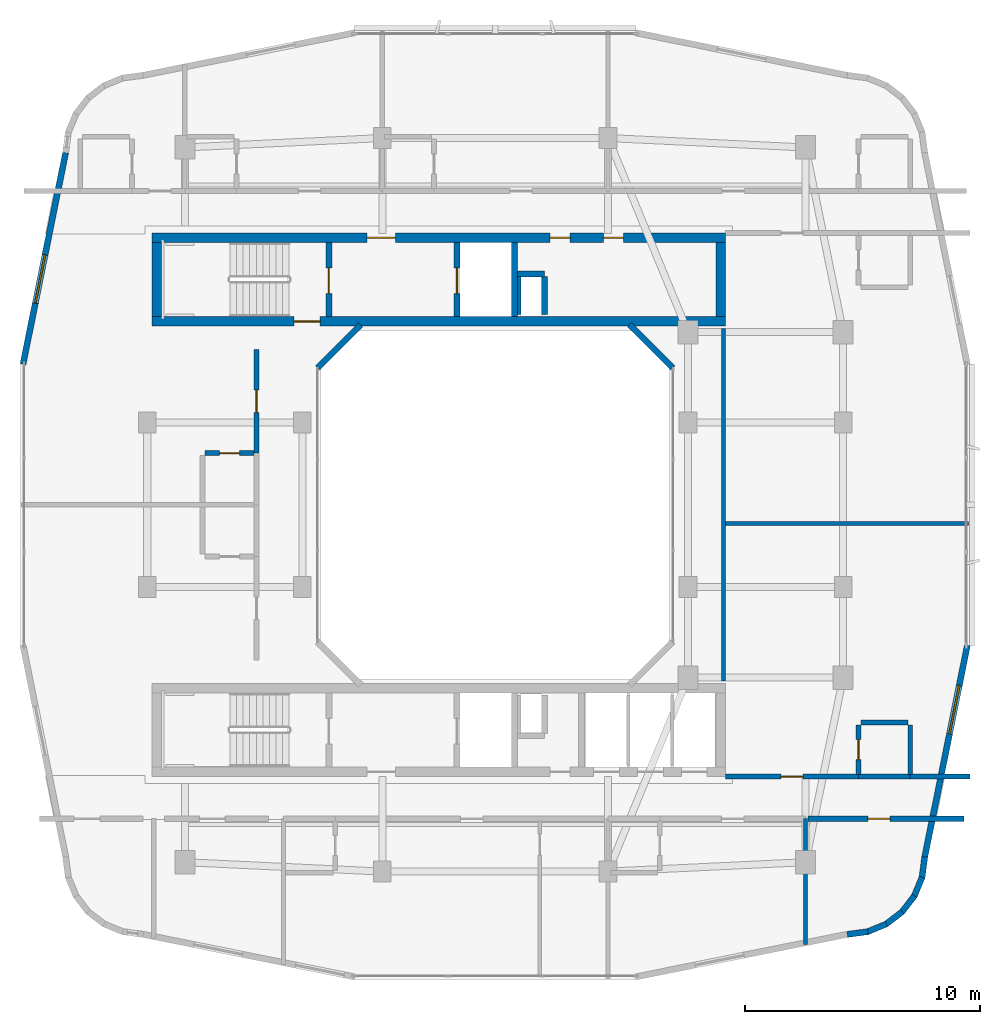
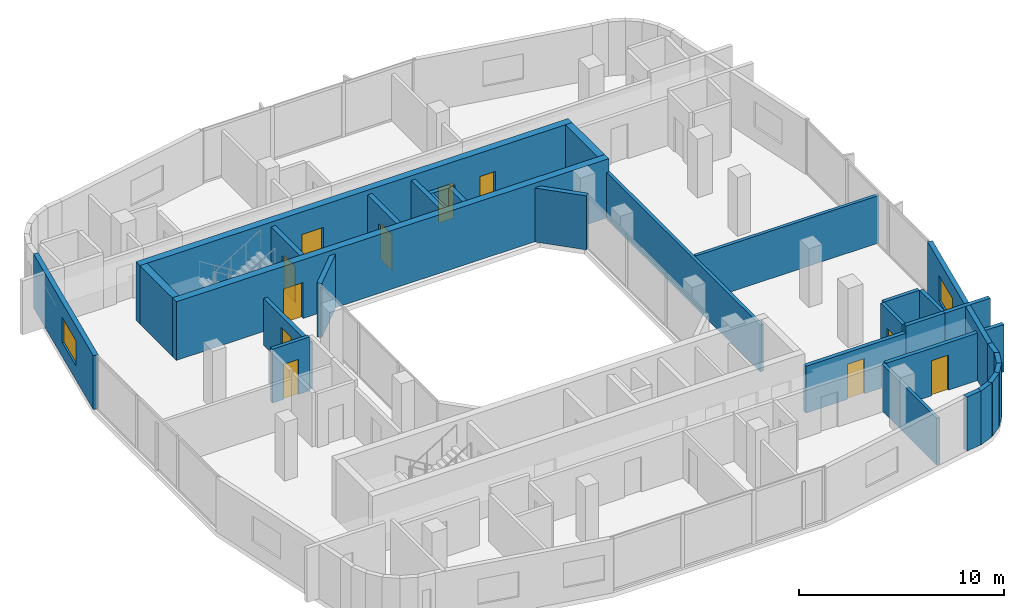
# One storey, part 8 of 14: 32 walls, 11 doors, 2 windows, 13 openings.
"""IFC4 building model written with IfcOpenShell, lengths in metres."""

import ifcopenshell
import ifcopenshell.guid

model = None  # the IFC model being written
_history = None  # IfcOwnerHistory: only IFC2X3 demands one
_inside = {}  # id of a spatial element -> (the spatial element, [elements in it])
_under = {}  # id of a project, library or spatial element -> (it, [spatial elements below it])
_declared = {}  # id of a project -> (the project, [libraries it declares])
_typed = {}  # id of a type object -> (the type object, [elements of that type])
_made_of = {}  # id of a material, layer set ... -> (it, [elements and type objects made of it])


def new_model(schema):
    """Start an empty IFC model of exactly this schema.

    Asked for "IFC4X3", IfcOpenShell would pick the latest addendum, in which some entities
    have other attributes; the version numbers below select the first issue.
    IFC2X3 requires an IfcOwnerHistory on every rooted entity: one is made here for all.
    """
    global model, _history
    if schema == "IFC4X3":
        model = ifcopenshell.file(schema_version=(4, 3, 0, 0))
    else:
        model = ifcopenshell.file(schema=schema)
    _inside.clear()
    _under.clear()
    _declared.clear()
    _typed.clear()
    _made_of.clear()
    _history = None
    if model.schema == "IFC2X3":
        org = make("IfcOrganization", Name="unknown")
        user = make(
            "IfcPersonAndOrganization",
            ThePerson=make("IfcPerson", FamilyName="unknown"),
            TheOrganization=org,
        )
        app = make(
            "IfcApplication",
            ApplicationDeveloper=org,
            Version="unknown",
            ApplicationFullName="unknown",
            ApplicationIdentifier="unknown",
        )
        _history = make(
            "IfcOwnerHistory",
            OwningUser=user,
            OwningApplication=app,
            ChangeAction="ADDED",
            CreationDate=0,
        )
    return model


def make(cls, **values):
    """One entity of the class cls with the attributes given. An attribute that is None is left unset."""
    return model.create_entity(
        cls, **{name: value for name, value in values.items() if value is not None}
    )


def rooted(cls, **values):
    """An entity with a GlobalId (a new one), such as an element, a storey or a relation."""
    return make(cls, GlobalId=ifcopenshell.guid.new(), OwnerHistory=_history, **values)


def si_unit(unit_type, name, prefix=None):
    """IfcSIUnit, for example si_unit("LENGTHUNIT", "METRE", prefix="MILLI")."""
    return make("IfcSIUnit", UnitType=unit_type, Prefix=prefix, Name=name)


def derived_unit(unit_type, elements):
    """IfcDerivedUnit: a product of units, each with its exponent."""
    return make(
        "IfcDerivedUnit",
        Elements=[
            make("IfcDerivedUnitElement", Unit=unit, Exponent=power)
            for unit, power in elements
        ],
        UnitType=unit_type,
    )


def assignment(units):
    """IfcUnitAssignment: the units of a project."""
    return None if units is None else make("IfcUnitAssignment", Units=units)


def point(xyz):
    """IfcCartesianPoint."""
    return None if xyz is None else make("IfcCartesianPoint", Coordinates=xyz)


def direction(xyz):
    """IfcDirection."""
    return None if xyz is None else make("IfcDirection", DirectionRatios=xyz)


def frame(location, z_axis=None, x_axis=None):
    """IfcAxis2Placement3D, a coordinate frame: its origin and axes. An axis left out is left unset."""
    return make(
        "IfcAxis2Placement3D",
        Location=point(location),
        Axis=direction(z_axis),
        RefDirection=direction(x_axis),
    )


def frame_2d(location, x_axis=None):
    """IfcAxis2Placement2D, a coordinate frame in the plane: its origin and x axis."""
    return make(
        "IfcAxis2Placement2D", Location=point(location), RefDirection=direction(x_axis)
    )


def origin():
    """The frame at (0, 0, 0) with its axes left unset."""
    return frame((0.0, 0.0, 0.0))


def place(relative_to, where):
    """IfcLocalPlacement: puts the frame where relative to a parent placement (None: the world)."""
    return make(
        "IfcLocalPlacement", PlacementRelTo=relative_to, RelativePlacement=where
    )


def context(
    kind, dimensions, precision=None, world=None, true_north=None, identifier=None
):
    """IfcGeometricRepresentationContext, for example the 3D "Model" context."""
    return make(
        "IfcGeometricRepresentationContext",
        ContextIdentifier=identifier,
        ContextType=kind,
        CoordinateSpaceDimension=dimensions,
        Precision=precision,
        WorldCoordinateSystem=world,
        TrueNorth=true_north,
    )


def subcontext(parent, identifier, kind, view, scale=None):
    """IfcGeometricRepresentationSubContext, for example "Body" below "Model"."""
    return make(
        "IfcGeometricRepresentationSubContext",
        ContextIdentifier=identifier,
        ContextType=kind,
        ParentContext=parent,
        TargetScale=scale,
        TargetView=view,
    )


def project(units=None, contexts=None):
    """IfcProject with its units and contexts."""
    return rooted(
        "IfcProject",
        Name="project",
        RepresentationContexts=contexts,
        UnitsInContext=assignment(units),
    )


def spatial(cls, under=None, at=None, **own):
    """A site, building, storey or space (cls), placed at a placement, below another one or the project."""
    s = rooted(cls, ObjectPlacement=at, **own)
    if under is not None:
        _under.setdefault(under.id(), (under, []))[1].append(s)
    return s


def profile(cls, at=None, kind="AREA", **sizes):
    """A parametric profile (cls). Its sizes go by their IFC names, for example OverallWidth=200.0."""
    return make(cls, ProfileType=kind, Position=at, **sizes)


def rectangle(**sizes):
    """IfcRectangleProfileDef."""
    return profile("IfcRectangleProfileDef", **sizes)


def extrude(swept, where, along, depth):
    """IfcExtrudedAreaSolid: the profile swept, set in the frame where, extruded along a direction by depth."""
    return make(
        "IfcExtrudedAreaSolid",
        SweptArea=swept,
        Position=where,
        ExtrudedDirection=direction(along),
        Depth=depth,
    )


def shape(context_of_items, identifier, shape_type, items):
    """IfcShapeRepresentation: the items that make up one representation, for example the "Body"."""
    return make(
        "IfcShapeRepresentation",
        ContextOfItems=context_of_items,
        RepresentationIdentifier=identifier,
        RepresentationType=shape_type,
        Items=items,
    )


def material(Name=None, Category=None):
    """IfcMaterial."""
    return make("IfcMaterial", Name=Name, Category=Category)


def layer(
    of_material, thickness, ventilated=None, Name=None, Category=None, Priority=None
):
    """IfcMaterialLayer: one layer of a wall or slab, of a material (None: an air gap)."""
    return make(
        "IfcMaterialLayer",
        Material=of_material,
        LayerThickness=thickness,
        IsVentilated=ventilated,
        Name=Name,
        Category=Category,
        Priority=Priority,
    )


def layer_set(layers, Name=None):
    """IfcMaterialLayerSet."""
    return make("IfcMaterialLayerSet", MaterialLayers=layers, LayerSetName=Name)


def made_of(thing, what):
    """Note that an element or type object is made of a material, layer set ...; save() writes the relation."""
    if what is not None:
        _made_of.setdefault(what.id(), (what, []))[1].append(thing)
    return thing


def type_object(cls, material=None, **own):
    """A type object (cls), such as IfcWallType, which elements share."""
    return made_of(rooted(cls, **own), material)


def element(
    cls,
    number,
    at=None,
    inside=None,
    cuts=None,
    type_object=None,
    material=None,
    context=None,
    identifier="Body",
    shape_type=None,
    held_by="IfcProductDefinitionShape",
    body=None,
    shapes=None,
    **own,
):
    """One element of the class cls, such as IfcWall. Its Tag is "e" and its number.

    at: its placement. inside: the storey or other place that contains it. cuts: it is an
    opening in that element (IfcRelVoidsElement). A single representation is given by context,
    identifier, shape_type and body (its items); several are given by shapes. held_by: the class
    of the entity that holds the representations. save() writes the other relations.
    """
    e = rooted(cls, Tag="e%d" % number, ObjectPlacement=at, **own)
    if body is not None:
        shapes = [shape(context, identifier, shape_type, body)]
    if shapes is not None:
        e.Representation = make(held_by, Representations=shapes)
    if inside is not None:
        _inside.setdefault(inside.id(), (inside, []))[1].append(e)
    if cuts is not None:
        rooted(
            "IfcRelVoidsElement", RelatingBuildingElement=cuts, RelatedOpeningElement=e
        )
    if type_object is not None:
        _typed.setdefault(type_object.id(), (type_object, []))[1].append(e)
    return made_of(e, material)


def fill(opening, filler):
    """IfcRelFillsElement: the door or window that sits in an opening."""
    return rooted(
        "IfcRelFillsElement",
        RelatingOpeningElement=opening,
        RelatedBuildingElement=filler,
    )


def aggregate(whole, parts):
    """IfcRelAggregates: a whole, such as a stair, and the parts it consists of."""
    return rooted("IfcRelAggregates", RelatingObject=whole, RelatedObjects=parts)


def save(model, path):
    """Write the relations noted so far, then the file.

    IfcRelAggregates (storeys below a building ...), IfcRelContainedInSpatialStructure (elements
    in a storey), IfcRelDefinesByType, IfcRelAssociatesMaterial and IfcRelDeclares: one each for
    every whole, place, type object, material and project.
    """
    for whole, parts in _under.values():
        aggregate(whole, parts)
    for where, things in _inside.values():
        rooted(
            "IfcRelContainedInSpatialStructure",
            RelatedElements=things,
            RelatingStructure=where,
        )
    for kind, things in _typed.values():
        rooted("IfcRelDefinesByType", RelatedObjects=things, RelatingType=kind)
    for what, things in _made_of.values():
        rooted("IfcRelAssociatesMaterial", RelatedObjects=things, RelatingMaterial=what)
    for by, libraries in _declared.values():
        rooted("IfcRelDeclares", RelatingContext=by, RelatedDefinitions=libraries)
    model.write(path)


model = new_model("IFC4")

# Units and contexts
model_context = context("Model", 3, precision=1e-05, world=origin(), true_north=direction((0.0, 1.0)))
body_context = subcontext(model_context, "Body", "Model", "MODEL_VIEW")
ifc_project = project(units=[si_unit("LENGTHUNIT", "METRE"), si_unit("AREAUNIT", "SQUARE_METRE"), si_unit("VOLUMEUNIT", "CUBIC_METRE"), si_unit("PLANEANGLEUNIT", "RADIAN"), si_unit("MASSUNIT", "GRAM", prefix="KILO"), derived_unit("THERMALTRANSMITTANCEUNIT", [(si_unit("POWERUNIT", "WATT"), 1), (si_unit("LENGTHUNIT", "METRE"), -2), (si_unit("THERMODYNAMICTEMPERATUREUNIT", "KELVIN"), -1)])], contexts=[model_context])

# Site, building, storey
site_placement = place(None, origin())
site = spatial("IfcSite", under=ifc_project, at=site_placement, CompositionType="ELEMENT")
building_placement = place(site_placement, origin())
building = spatial("IfcBuilding", under=site, at=building_placement, Name="Kivonza Crest Hotel", CompositionType="ELEMENT")
storey_placement = place(building_placement, frame((0.0, 0.0, 159.0)))
storey = spatial("IfcBuildingStorey", under=building, at=storey_placement, Name="L43", CompositionType="ELEMENT", Elevation=159.0)

# Walls
ifc_material_1 = material(Name="High-density acoustic masonry inter-tenancy wall", Category="masonry")
ifc_layer_1 = layer(ifc_material_1, 0.179931640625)
ifc_layer_set_1 = layer_set([ifc_layer_1], Name="High-density acoustic masonry inter-tenancy wall")
wall_type_1 = type_object("IfcWallType", Name="WL-ACOU-180", PredefinedType="SOLIDWALL", material=ifc_layer_set_1)
wall_1_placement = place(storey_placement, frame((34.199951171875, 6.299072265625, 0.0), z_axis=(0.0, 0.0, 1.0), x_axis=(0.0, 1.0, 0.0)))
element("IfcWall", 1, at=wall_1_placement, inside=storey, type_object=wall_type_1, Name="L43 interior partition WA-L43-T1S-DIV3", PredefinedType="SOLIDWALL", context=body_context, shape_type="SweptSolid", body=[
    extrude(rectangle(XDim=5.350830078125, YDim=0.179931640625, at=frame_2d((2.67529296875, 0.0))), origin(), (0.0, 0.0, 1.0), 2.794921875),
])
wall_2_placement = place(storey_placement, frame((30.800048828125, 24.199951171875, 0.0), z_axis=(0.0, 0.0, 1.0), x_axis=(1.0, 0.0, 0.0)))
element("IfcWall", 2, at=wall_2_placement, inside=storey, type_object=wall_type_1, Name="L43 interior partition WA-L43-T1EC-DIV", PredefinedType="SOLIDWALL", context=body_context, shape_type="SweptSolid", body=[
    extrude(rectangle(XDim=10.33984375, YDim=0.179931640625, at=frame_2d((5.169921875, 0.0))), origin(), (0.0, 0.0, 1.0), 2.8349609375),
])
wall_3_placement = place(storey_placement, frame((30.7099609375, 17.5, 0.0), z_axis=(0.0, 0.0, 1.0), x_axis=(0.0, 1.0, 0.0)))
element("IfcWall", 3, at=wall_3_placement, inside=storey, type_object=wall_type_1, Name="L43 interior partition WA-L43-T1EC-W", PredefinedType="SOLIDWALL", context=body_context, shape_type="SweptSolid", body=[
    extrude(rectangle(XDim=15.0, YDim=0.179931640625, at=frame_2d((7.5, 0.0))), origin(), (0.0, 0.0, 1.0), 2.794921875),
])

# Wall, opening, door
ifc_material_2 = material(Name="Autoclaved aerated concrete blockwork", Category="masonry")
ifc_layer_2 = layer(ifc_material_2, 0.219970703125)
ifc_layer_set_2 = layer_set([ifc_layer_2], Name="Autoclaved aerated concrete blockwork")
wall_type_2 = type_object("IfcWallType", Name="WL-ACOU-220", PredefinedType="SOLIDWALL", material=ifc_layer_set_2)
wall_4_placement = place(storey_placement, frame((34.300048828125, 11.64990234375, 0.0), z_axis=(0.0, 0.0, 1.0), x_axis=(1.0, 0.0, 0.0)))
wall_4 = element("IfcWall", 4, at=wall_4_placement, inside=storey, type_object=wall_type_2, Name="L43 interior partition WA-L43-BUS-MTG-N", PredefinedType="SOLIDWALL", context=body_context, shape_type="SweptSolid", body=[
    extrude(rectangle(XDim=6.639892578125, YDim=0.219970703125, at=frame_2d((3.31982421875, 0.0))), origin(), (0.0, 0.0, 1.0), 2.8349609375),
])
opening_1_placement = place(wall_4_placement, frame((2.550048828125, 0.0, 0.0)))
opening_1 = element("IfcOpeningElement", 5, at=opening_1_placement, cuts=wall_4, Name="Opening DF-60S", PredefinedType="OPENING", context=body_context, shape_type="SweptSolid", body=[
    extrude(rectangle(XDim=0.949951171875, YDim=2.10009765625, at=frame_2d((0.47509765625, 1.050048828125))), frame((0.0, 0.1201171875, 0.0), z_axis=(0.0, -1.0, 0.0), x_axis=(1.0, 0.0, 0.0)), (0.0, 0.0, 1.0), 0.239990234375),
])
ifc_material_3 = material(Name="Hardwood timber oak", Category="wood")
door_type_1 = type_object("IfcDoorType", Name="DR-FD60-950", OperationType="NOTDEFINED", PredefinedType="DOOR", material=ifc_material_3)
door_1_placement = place(opening_1_placement, frame((0.949951171875, 0.0, 0.0), z_axis=(0.0, 0.0, 1.0), x_axis=(-1.0, 0.0, 0.0)))
door_1 = element("IfcDoor", 6, at=door_1_placement, inside=storey, type_object=door_type_1, Name="L43 Private Fitness Gym Studio door", OperationType="SINGLE_SWING_RIGHT", OverallHeight=2.10009765625, OverallWidth=0.949951171875, PredefinedType="DOOR", context=body_context, shape_type="SweptSolid", body=[
    extrude(rectangle(XDim=0.949951171875, YDim=2.10009765625, at=frame_2d((0.47509765625, 1.050048828125))), frame((0.0, 0.02490234375, 0.0), z_axis=(0.0, -1.0, 0.0), x_axis=(1.0, 0.0, 0.0)), (0.0, 0.0, 1.0), 0.050048828125),
])
fill(opening_1, door_1)

wall_5_placement = place(storey_placement, frame((10.85009765625, 27.199951171875, 0.0), z_axis=(0.0, 0.0, 1.0), x_axis=(0.0, 1.0, 0.0)))
wall_5 = element("IfcWall", 7, at=wall_5_placement, inside=storey, type_object=wall_type_2, Name="L43 interior partition WA-L43-W08-MCORR", PredefinedType="SOLIDWALL", context=body_context, shape_type="SweptSolid", body=[
    extrude(rectangle(XDim=4.400146484375, YDim=0.219970703125, at=frame_2d((2.2001953125, 0.0))), origin(), (0.0, 0.0, 1.0), 2.794921875),
])
opening_2_placement = place(wall_5_placement, frame((1.72509765625, 0.0, 0.0)))
opening_2 = element("IfcOpeningElement", 8, at=opening_2_placement, cuts=wall_5, Name="Opening DU-60", PredefinedType="OPENING", context=body_context, shape_type="SweptSolid", body=[
    extrude(rectangle(XDim=0.949951171875, YDim=2.10009765625, at=frame_2d((0.47509765625, 1.050048828125))), frame((0.0, 0.1201171875, 0.0), z_axis=(0.0, -1.0, 0.0), x_axis=(1.0, 0.0, 0.0)), (0.0, 0.0, 1.0), 0.239990234375),
])
door_type_2 = type_object("IfcDoorType", Name="DR-UNIT-950", OperationType="NOTDEFINED", PredefinedType="DOOR", material=ifc_material_3)
door_2_placement = place(opening_2_placement, origin())
door_2 = element("IfcDoor", 9, at=door_2_placement, inside=storey, type_object=door_type_2, Name="L43 W08 guest unit entrance fire door", OperationType="SINGLE_SWING_RIGHT", OverallHeight=2.10009765625, OverallWidth=0.949951171875, PredefinedType="DOOR", context=body_context, shape_type="SweptSolid", body=[
    extrude(rectangle(XDim=0.949951171875, YDim=2.10009765625, at=frame_2d((0.47509765625, 1.050048828125))), frame((0.0, 0.02490234375, 0.0), z_axis=(0.0, -1.0, 0.0), x_axis=(1.0, 0.0, 0.0)), (0.0, 0.0, 1.0), 0.050048828125),
])
fill(opening_2, door_2)

# Walls
wall_6_placement = place(storey_placement, frame((38.64990234375, 13.43994140625, 0.0), z_axis=(0.0, 0.0, 1.0), x_axis=(1.0, 0.0, 0.0)))
element("IfcWall", 10, at=wall_6_placement, inside=storey, type_object=wall_type_2, Name="L43 interior partition WA-L43-ES09-XCORR", PredefinedType="SOLIDWALL", context=body_context, shape_type="SweptSolid", body=[
    extrude(rectangle(XDim=2.550048828125, YDim=0.219970703125, at=frame_2d((1.27490234375, 0.0))), origin(), (0.0, 0.0, 1.0), 3.219970703125),
])
wall_7_placement = place(storey_placement, frame((36.449951171875, 13.43994140625, 0.0), z_axis=(0.0, 0.0, 1.0), x_axis=(1.0, 0.0, 0.0)))
element("IfcWall", 11, at=wall_7_placement, inside=storey, type_object=wall_type_2, Name="L43 interior partition WA-L43-ES09-BCORR", PredefinedType="SOLIDWALL", context=body_context, shape_type="SweptSolid", body=[
    extrude(rectangle(XDim=2.199951171875, YDim=0.219970703125, at=frame_2d((1.10009765625, 0.0))), origin(), (0.0, 0.0, 1.0), 3.219970703125),
])

# Wall, opening, door
wall_8_placement = place(storey_placement, frame((30.800048828125, 13.43994140625, 0.0), z_axis=(0.0, 0.0, 1.0), x_axis=(1.0, 0.0, 0.0)))
wall_8 = element("IfcWall", 12, at=wall_8_placement, inside=storey, type_object=wall_type_2, Name="L43 interior partition WA-L43-ES09-MCORR", PredefinedType="SOLIDWALL", context=body_context, shape_type="SweptSolid", body=[
    extrude(rectangle(XDim=5.64990234375, YDim=0.219970703125, at=frame_2d((2.824951171875, 0.0))), origin(), (0.0, 0.0, 1.0), 2.794921875),
])
opening_3_placement = place(wall_8_placement, frame((2.35009765625, 0.0, 0.0)))
opening_3 = element("IfcOpeningElement", 13, at=opening_3_placement, cuts=wall_8, Name="Opening DU-60", PredefinedType="OPENING", context=body_context, shape_type="SweptSolid", body=[
    extrude(rectangle(XDim=0.949951171875, YDim=2.10009765625, at=frame_2d((0.47509765625, 1.050048828125))), frame((0.0, 0.1201171875, 0.0), z_axis=(0.0, -1.0, 0.0), x_axis=(1.0, 0.0, 0.0)), (0.0, 0.0, 1.0), 0.239990234375),
])
door_3_placement = place(opening_3_placement, origin())
door_3 = element("IfcDoor", 14, at=door_3_placement, inside=storey, type_object=door_type_2, Name="L43 ES09 guest unit entrance fire door", OperationType="SINGLE_SWING_RIGHT", OverallHeight=2.10009765625, OverallWidth=0.949951171875, PredefinedType="DOOR", context=body_context, shape_type="SweptSolid", body=[
    extrude(rectangle(XDim=0.949951171875, YDim=2.10009765625, at=frame_2d((0.47509765625, 1.050048828125))), frame((0.0, 0.02490234375, 0.0), z_axis=(0.0, -1.0, 0.0), x_axis=(1.0, 0.0, 0.0)), (0.0, 0.0, 1.0), 0.050048828125),
])
fill(opening_3, door_3)

ifc_material_4 = material(Name="Concrete C50/60", Category="concrete")
ifc_layer_3 = layer(ifc_material_4, 0.39990234375)
ifc_layer_set_3 = layer_set([ifc_layer_3], Name="Concrete C50/60")
wall_type_3 = type_object("IfcWallType", Name="WL-CORE-400", PredefinedType="SHEAR", material=ifc_layer_set_3)
wall_9_placement = place(storey_placement, frame((6.39990234375, 32.800048828125, 0.0), z_axis=(0.0, 0.0, 1.0), x_axis=(1.0, 0.0, 0.0)))
wall_9 = element("IfcWall", 15, at=wall_9_placement, inside=storey, type_object=wall_type_3, Name="Core wall T1-N South L43", PredefinedType="SHEAR", context=body_context, shape_type="SweptSolid", body=[
    extrude(rectangle(XDim=24.400146484375, YDim=0.39990234375, at=frame_2d((12.2001953125, 0.0))), origin(), (0.0, 0.0, 1.0), 3.5),
])
opening_4_placement = place(wall_9_placement, frame((6.050048828125, 0.0, 0.0)))
opening_4 = element("IfcOpeningElement", 16, at=opening_4_placement, cuts=wall_9, Name="Opening DF-120", PredefinedType="OPENING", context=body_context, shape_type="SweptSolid", body=[
    extrude(rectangle(XDim=1.10009765625, YDim=2.14990234375, at=frame_2d((0.550048828125, 1.074951171875))), frame((0.0, 0.2099609375, 0.0), z_axis=(0.0, -1.0, 0.0), x_axis=(1.0, 0.0, 0.0)), (0.0, 0.0, 1.0), 0.419921875),
])
ifc_material_5 = material(Name="Galvanised steel", Category="steel")
door_type_3 = type_object("IfcDoorType", Name="DR-FD120-1100", OperationType="NOTDEFINED", PredefinedType="DOOR", material=ifc_material_5)
door_4_placement = place(opening_4_placement, origin())
door_4 = element("IfcDoor", 17, at=door_4_placement, inside=storey, type_object=door_type_3, Name="L43 West corridor stair access fire door", OperationType="SINGLE_SWING_LEFT", OverallHeight=2.14990234375, OverallWidth=1.10009765625, PredefinedType="DOOR", context=body_context, shape_type="SweptSolid", body=[
    extrude(rectangle(XDim=1.10009765625, YDim=2.14990234375, at=frame_2d((0.550048828125, 1.074951171875))), frame((0.0, 0.02490234375, 0.0), z_axis=(0.0, -1.0, 0.0), x_axis=(1.0, 0.0, 0.0)), (0.0, 0.0, 1.0), 0.050048828125),
])
fill(opening_4, door_4)

# Wall, openings, doors
wall_10_placement = place(storey_placement, frame((6.39990234375, 36.360107421875, 0.0), z_axis=(0.0, 0.0, 1.0), x_axis=(1.0, 0.0, 0.0)))
wall_10 = element("IfcWall", 18, at=wall_10_placement, inside=storey, type_object=wall_type_3, Name="Core wall T1-N North L43", PredefinedType="SHEAR", context=body_context, shape_type="SweptSolid", body=[
    extrude(rectangle(XDim=24.400146484375, YDim=0.39990234375, at=frame_2d((12.2001953125, 0.0))), origin(), (0.0, 0.0, 1.0), 3.5),
])
opening_5_placement = place(wall_10_placement, frame((9.14990234375, 0.0, 0.0)))
opening_5 = element("IfcOpeningElement", 19, at=opening_5_placement, cuts=wall_10, Name="Opening DF-60", PredefinedType="OPENING", context=body_context, shape_type="SweptSolid", body=[
    extrude(rectangle(XDim=1.199951171875, YDim=2.14990234375, at=frame_2d((0.60009765625, 1.074951171875))), frame((0.0, 0.2099609375, 0.0), z_axis=(0.0, -1.0, 0.0), x_axis=(1.0, 0.0, 0.0)), (0.0, 0.0, 1.0), 0.419921875),
])
opening_6_placement = place(wall_10_placement, frame((19.199951171875, 0.0, 0.0)))
opening_6 = element("IfcOpeningElement", 20, at=opening_6_placement, cuts=wall_10, Name="Opening DF-60R", PredefinedType="OPENING", context=body_context, shape_type="SweptSolid", body=[
    extrude(rectangle(XDim=0.85009765625, YDim=2.10009765625, at=frame_2d((0.425048828125, 1.050048828125))), frame((0.0, 0.2099609375, 0.0), z_axis=(0.0, -1.0, 0.0), x_axis=(1.0, 0.0, 0.0)), (0.0, 0.0, 1.0), 0.419921875),
])
opening_7_placement = place(wall_10_placement, frame((16.93994140625, 0.0, 0.0)))
opening_7 = element("IfcOpeningElement", 21, at=opening_7_placement, cuts=wall_10, Name="Opening DF-60R", PredefinedType="OPENING", context=body_context, shape_type="SweptSolid", body=[
    extrude(rectangle(XDim=0.85009765625, YDim=2.10009765625, at=frame_2d((0.425048828125, 1.050048828125))), frame((0.0, 0.2099609375, 0.0), z_axis=(0.0, -1.0, 0.0), x_axis=(1.0, 0.0, 0.0)), (0.0, 0.0, 1.0), 0.419921875),
])
door_type_4 = type_object("IfcDoorType", Name="DR-FD60-1200", OperationType="NOTDEFINED", PredefinedType="DOOR", material=ifc_material_3)
door_5_placement = place(opening_5_placement, origin())
door_5 = element("IfcDoor", 22, at=door_5_placement, inside=storey, type_object=door_type_4, Name="L43 T1-N firefighting lobby fire door", OperationType="SINGLE_SWING_RIGHT", OverallHeight=2.14990234375, OverallWidth=1.199951171875, PredefinedType="DOOR", context=body_context, shape_type="SweptSolid", body=[
    extrude(rectangle(XDim=1.199951171875, YDim=2.14990234375, at=frame_2d((0.60009765625, 1.074951171875))), frame((0.0, 0.02490234375, 0.0), z_axis=(0.0, -1.0, 0.0), x_axis=(1.0, 0.0, 0.0)), (0.0, 0.0, 1.0), 0.050048828125),
])
fill(opening_5, door_5)
door_type_5 = type_object("IfcDoorType", Name="DR-FD60-850", OperationType="NOTDEFINED", PredefinedType="DOOR", material=ifc_material_3)
door_6_placement = place(opening_6_placement, origin())
door_6 = element("IfcDoor", 23, at=door_6_placement, inside=storey, type_object=door_type_5, Name="L43 T1-N reclaimed core service door", OperationType="SINGLE_SWING_LEFT", OverallHeight=2.10009765625, OverallWidth=0.85009765625, PredefinedType="DOOR", context=body_context, shape_type="SweptSolid", body=[
    extrude(rectangle(XDim=0.85009765625, YDim=2.10009765625, at=frame_2d((0.425048828125, 1.050048828125))), frame((0.0, 0.02490234375, 0.0), z_axis=(0.0, -1.0, 0.0), x_axis=(1.0, 0.0, 0.0)), (0.0, 0.0, 1.0), 0.050048828125),
])
fill(opening_6, door_6)
door_7_placement = place(opening_7_placement, origin())
door_7 = element("IfcDoor", 24, at=door_7_placement, inside=storey, type_object=door_type_5, Name="L43 T1-N core room door", OperationType="SINGLE_SWING_RIGHT", OverallHeight=2.10009765625, OverallWidth=0.85009765625, PredefinedType="DOOR", context=body_context, shape_type="SweptSolid", body=[
    extrude(rectangle(XDim=0.85009765625, YDim=2.10009765625, at=frame_2d((0.425048828125, 1.050048828125))), frame((0.0, 0.02490234375, 0.0), z_axis=(0.0, -1.0, 0.0), x_axis=(1.0, 0.0, 0.0)), (0.0, 0.0, 1.0), 0.050048828125),
])
fill(opening_7, door_7)

# Walls
for number, where, z_axis, x_axis, name in (
    (25, (6.60009765625, 33.0, 0.0), (0.0, 0.0, 1.0), (0.0, 1.0, 0.0), "Core wall T1-N West L43"),
    (26, (30.60009765625, 33.0, 0.0), (0.0, 0.0, 1.0), (0.0, 1.0, 0.0), "Core wall T1-N East L43"),
):
    element("IfcWall", number, at=place(storey_placement, frame(where, z_axis=z_axis, x_axis=x_axis)), inside=storey, type_object=wall_type_3, Name=name, PredefinedType="SHEAR", context=body_context, shape_type="SweptSolid", body=[
        extrude(rectangle(XDim=3.159912109375, YDim=0.39990234375, at=frame_2d((1.580078125, 0.0))), origin(), (0.0, 0.0, 1.0), 3.5),
    ])
ifc_material_6 = material(Name="Precast concrete C40/50", Category="concrete")
ifc_layer_4 = layer(ifc_material_6, 0.260009765625)
ifc_layer_set_4 = layer_set([ifc_layer_4], Name="Precast concrete C40/50")
wall_type_4 = type_object("IfcWallType", Name="WL-EXT-260", PredefinedType="STANDARD", material=ifc_layer_set_4)
wall_11_placement = place(storey_placement, frame((35.97509765625, 6.72802734375, 0.0), z_axis=(0.0, 0.0, 1.0), x_axis=(0.991388484223, 0.130953706898, 0.0)))
element("IfcWall", 27, at=wall_11_placement, inside=storey, type_object=wall_type_4, Name="L43 T1 exterior insulated wall 10", PredefinedType="STANDARD", context=body_context, shape_type="SweptSolid", body=[
    extrude(rectangle(XDim=0.885498046875, YDim=0.260009765625, at=frame_2d((0.44287109375, 0.0))), origin(), (0.0, 0.0, 1.0), 3.219970703125),
])
wall_12_placement = place(storey_placement, frame((36.806884765625, 6.825927734375, 0.0), z_axis=(0.0, 0.0, 1.0), x_axis=(0.923627776508, 0.383290660547, 0.0)))
element("IfcWall", 28, at=wall_12_placement, inside=storey, type_object=wall_type_4, Name="L43 T1 exterior insulated wall 11", PredefinedType="STANDARD", context=body_context, shape_type="SweptSolid", body=[
    extrude(rectangle(XDim=0.9033203125, YDim=0.260009765625, at=frame_2d((0.45166015625, 0.0))), origin(), (0.0, 0.0, 1.0), 3.219970703125),
])
wall_13_placement = place(storey_placement, frame((37.60107421875, 7.14404296875, 0.0), z_axis=(0.0, 0.0, 1.0), x_axis=(0.793458244748, 0.608624690463, 0.0)))
element("IfcWall", 29, at=wall_13_placement, inside=storey, type_object=wall_type_4, Name="L43 T1 exterior insulated wall 12", PredefinedType="STANDARD", context=body_context, shape_type="SweptSolid", body=[
    extrude(rectangle(XDim=0.902099609375, YDim=0.260009765625, at=frame_2d((0.451171875, 0.0))), origin(), (0.0, 0.0, 1.0), 3.219970703125),
])
wall_14_placement = place(storey_placement, frame((38.285888671875, 7.655029296875, 0.0), z_axis=(0.0, 0.0, 1.0), x_axis=(0.608494022858, 0.793558456666, 0.0)))
element("IfcWall", 30, at=wall_14_placement, inside=storey, type_object=wall_type_4, Name="L43 T1 exterior insulated wall 13", PredefinedType="STANDARD", context=body_context, shape_type="SweptSolid", body=[
    extrude(rectangle(XDim=0.90234375, YDim=0.260009765625, at=frame_2d((0.451171875, 0.0))), origin(), (0.0, 0.0, 1.0), 3.219970703125),
])
wall_15_placement = place(storey_placement, frame((38.81396484375, 8.326904296875, 0.0), z_axis=(0.0, 0.0, 1.0), x_axis=(0.383155708213, 0.923683767999, 0.0)))
element("IfcWall", 31, at=wall_15_placement, inside=storey, type_object=wall_type_4, Name="L43 T1 exterior insulated wall 14", PredefinedType="STANDARD", context=body_context, shape_type="SweptSolid", body=[
    extrude(rectangle(XDim=0.90283203125, YDim=0.260009765625, at=frame_2d((0.451416015625, 0.0))), origin(), (0.0, 0.0, 1.0), 3.219970703125),
])
wall_16_placement = place(storey_placement, frame((39.152099609375, 9.112060546875, 0.0), z_axis=(0.0, 0.0, 1.0), x_axis=(0.130200706103, 0.991487658083, 0.0)))
element("IfcWall", 32, at=wall_16_placement, inside=storey, type_object=wall_type_4, Name="L43 T1 exterior insulated wall 15", PredefinedType="STANDARD", context=body_context, shape_type="SweptSolid", body=[
    extrude(rectangle(XDim=0.920654296875, YDim=0.260009765625, at=frame_2d((0.46044921875, 0.0))), origin(), (0.0, 0.0, 1.0), 3.219970703125),
])

# Wall, opening, window
wall_17_placement = place(storey_placement, frame((39.27099609375, 10.01806640625, 0.0), z_axis=(0.0, 0.0, 1.0), x_axis=(0.197435082048, 0.980315963543, 0.0)))
wall_17 = element("IfcWall", 33, at=wall_17_placement, inside=storey, type_object=wall_type_4, Name="L43 T1 exterior insulated wall 16", PredefinedType="STANDARD", context=body_context, shape_type="SweptSolid", body=[
    extrude(rectangle(XDim=9.1826171875, YDim=0.260009765625, at=frame_2d((4.59130859375, 0.0))), origin(), (0.0, 0.0, 1.0), 3.219970703125),
])
opening_8_placement = place(wall_17_placement, frame((5.34912109375, 0.0, 0.85009765625)))
opening_8 = element("IfcOpeningElement", 34, at=opening_8_placement, cuts=wall_17, Name="Opening WN-04", PredefinedType="OPENING", context=body_context, shape_type="SweptSolid", body=[
    extrude(rectangle(XDim=2.10009765625, YDim=1.5, at=frame_2d((1.050048828125, 0.75))), frame((0.0, 0.14013671875, 0.0), z_axis=(0.0, -1.0, 0.0), x_axis=(1.0, 0.0, 0.0)), (0.0, 0.0, 1.0), 0.280029296875),
])
ifc_material_7 = material(Name="Thermally broken bronze aluminium and low-E double glazing", Category="aluminium")
window_type = type_object("IfcWindowType", Name="WN-210x150", PartitioningType="DOUBLE_PANEL_VERTICAL", PredefinedType="WINDOW", material=ifc_material_7)
window_1_placement = place(opening_8_placement, origin())
window_1 = element("IfcWindow", 35, at=window_1_placement, inside=storey, type_object=window_type, Name="L43 T1 facade window 16", OverallHeight=1.5, OverallWidth=2.10009765625, PartitioningType="SINGLE_PANEL", PredefinedType="WINDOW", context=body_context, shape_type="SweptSolid", body=[
    extrude(rectangle(XDim=2.10009765625, YDim=1.5, at=frame_2d((1.050048828125, 0.75))), frame((0.0, 0.030029296875, 0.0), z_axis=(0.0, -1.0, 0.0), x_axis=(1.0, 0.0, 0.0)), (0.0, 0.0, 1.0), 0.06005859375),
])
fill(opening_8, window_1)

wall_18_placement = place(storey_placement, frame((2.72900390625, 39.98193359375, 0.0), z_axis=(0.0, 0.0, 1.0), x_axis=(-0.197435082048, -0.980315963543, 0.0)))
wall_18 = element("IfcWall", 36, at=wall_18_placement, inside=storey, type_object=wall_type_4, Name="L43 T1 exterior insulated wall 34", PredefinedType="STANDARD", context=body_context, shape_type="SweptSolid", body=[
    extrude(rectangle(XDim=9.1826171875, YDim=0.260009765625, at=frame_2d((4.59130859375, 0.0))), origin(), (0.0, 0.0, 1.0), 3.219970703125),
])
opening_9_placement = place(wall_18_placement, frame((4.43603515625, 0.0, 0.85009765625)))
opening_9 = element("IfcOpeningElement", 37, at=opening_9_placement, cuts=wall_18, Name="Opening WN-04", PredefinedType="OPENING", context=body_context, shape_type="SweptSolid", body=[
    extrude(rectangle(XDim=2.10009765625, YDim=1.5, at=frame_2d((1.050048828125, 0.75))), frame((0.0, 0.14013671875, 0.0), z_axis=(0.0, -1.0, 0.0), x_axis=(1.0, 0.0, 0.0)), (0.0, 0.0, 1.0), 0.280029296875),
])
window_2_placement = place(opening_9_placement, origin())
window_2 = element("IfcWindow", 38, at=window_2_placement, inside=storey, type_object=window_type, Name="L43 T1 facade window 34", OverallHeight=1.5, OverallWidth=2.10009765625, PartitioningType="SINGLE_PANEL", PredefinedType="WINDOW", context=body_context, shape_type="SweptSolid", body=[
    extrude(rectangle(XDim=2.10009765625, YDim=1.5, at=frame_2d((1.050048828125, 0.75))), frame((0.0, 0.030029296875, 0.0), z_axis=(0.0, -1.0, 0.0), x_axis=(1.0, 0.0, 0.0)), (0.0, 0.0, 1.0), 0.06005859375),
])
fill(opening_9, window_2)

# Walls
for number, where, z_axis, x_axis, name in (
    (39, (28.555908203125, 30.827880859375, 0.0), (0.0, 0.0, 1.0), (-0.707059717605, 0.707153841636, 0.0), "L43 T1 light-well exterior wall 4"),
    (40, (15.278076171875, 32.662109375, 0.0), (0.0, 0.0, 1.0), (-0.707059717605, -0.707153841636, 0.0), "L43 T1 light-well exterior wall 6"),
):
    element("IfcWall", number, at=place(storey_placement, frame(where, z_axis=z_axis, x_axis=x_axis)), inside=storey, type_object=wall_type_4, Name=name, PredefinedType="STANDARD", context=body_context, shape_type="SweptSolid", body=[
        extrude(rectangle(XDim=2.59375, YDim=0.260009765625, at=frame_2d((1.296875, 0.0))), origin(), (0.0, 0.0, 1.0), 3.219970703125),
    ])
ifc_material_8 = material(Name="Concrete blockwork fire-compartment wall", Category="masonry")
ifc_layer_5 = layer(ifc_material_8, 0.25)
ifc_layer_set_5 = layer_set([ifc_layer_5], Name="Concrete blockwork fire-compartment wall")
wall_type_5 = type_object("IfcWallType", Name="WL-FIRE-250", PredefinedType="SOLIDWALL", material=ifc_layer_set_5)
wall_19_placement = place(storey_placement, frame((23.10009765625, 33.10009765625, 0.0), z_axis=(0.0, 0.0, 1.0), x_axis=(0.0, 1.0, 0.0)))
element("IfcWall", 41, at=wall_19_placement, inside=storey, type_object=wall_type_5, Name="L43 interior partition WA-L43-T1-N-MEPR-E", PredefinedType="SOLIDWALL", context=body_context, shape_type="SweptSolid", body=[
    extrude(rectangle(XDim=1.619873046875, YDim=0.25, at=frame_2d((0.81005859375, 0.0))), origin(), (0.0, 0.0, 1.0), 3.219970703125),
])
wall_20_placement = place(storey_placement, frame((21.949951171875, 34.820068359375, 0.0), z_axis=(0.0, 0.0, 1.0), x_axis=(1.0, 0.0, 0.0)))
element("IfcWall", 42, at=wall_20_placement, inside=storey, type_object=wall_type_5, Name="L43 interior partition WA-L43-T1-N-MEPR-H", PredefinedType="SOLIDWALL", context=body_context, shape_type="SweptSolid", body=[
    extrude(rectangle(XDim=1.150146484375, YDim=0.25, at=frame_2d((0.5751953125, 0.0))), origin(), (0.0, 0.0, 1.0), 3.219970703125),
])
ifc_material_9 = material(Name="Twin-stud acoustic gypsum board partition", Category="gypsum")
ifc_layer_6 = layer(ifc_material_9, 0.14990234375)
ifc_layer_set_6 = layer_set([ifc_layer_6], Name="Twin-stud acoustic gypsum board partition")
wall_type_6 = type_object("IfcWallType", Name="WL-PART-150", PredefinedType="PARTITIONING", material=ifc_layer_set_6)
wall_21_placement = place(storey_placement, frame((22.030029296875, 33.10009765625, 0.0), z_axis=(0.0, 0.0, 1.0), x_axis=(0.0, 1.0, 0.0)))
element("IfcWall", 43, at=wall_21_placement, inside=storey, type_object=wall_type_6, Name="L43 interior partition WA-L43-T1-N-MEPR-W", PredefinedType="PARTITIONING", context=body_context, shape_type="SweptSolid", body=[
    extrude(rectangle(XDim=1.619873046875, YDim=0.14990234375, at=frame_2d((0.81005859375, 0.0))), origin(), (0.0, 0.0, 1.0), 3.219970703125),
])

# Wall, opening, door
ifc_material_10 = material(Name="Moisture-resistant plumbing chase partition wall", Category="gypsum")
ifc_layer_7 = layer(ifc_material_10, 0.199951171875)
ifc_layer_set_7 = layer_set([ifc_layer_7], Name="Moisture-resistant plumbing chase partition wall")
wall_type_7 = type_object("IfcWallType", Name="WL-PLUMB-200", PredefinedType="PLUMBINGWALL", material=ifc_layer_set_7)
wall_22_placement = place(storey_placement, frame((8.64990234375, 27.199951171875, 0.0), z_axis=(0.0, 0.0, 1.0), x_axis=(1.0, 0.0, 0.0)))
wall_22 = element("IfcWall", 44, at=wall_22_placement, inside=storey, type_object=wall_type_7, Name="L43 interior partition WW-L43-W08-BH", PredefinedType="PLUMBINGWALL", context=body_context, shape_type="SweptSolid", body=[
    extrude(rectangle(XDim=2.10009765625, YDim=0.199951171875, at=frame_2d((1.050048828125, 0.0))), origin(), (0.0, 0.0, 1.0), 3.219970703125),
])
opening_10_placement = place(wall_22_placement, frame((0.625, 0.0, 0.0)))
opening_10 = element("IfcOpeningElement", 45, at=opening_10_placement, cuts=wall_22, Name="Opening DI-85", PredefinedType="OPENING", context=body_context, shape_type="SweptSolid", body=[
    extrude(rectangle(XDim=0.85009765625, YDim=2.10009765625, at=frame_2d((0.425048828125, 1.050048828125))), frame((0.0, 0.10986328125, 0.0), z_axis=(0.0, -1.0, 0.0), x_axis=(1.0, 0.0, 0.0)), (0.0, 0.0, 1.0), 0.219970703125),
])
door_type_6 = type_object("IfcDoorType", Name="DR-INT-850", OperationType="NOTDEFINED", PredefinedType="DOOR", material=ifc_material_3)
door_8_placement = place(opening_10_placement, origin())
door_8 = element("IfcDoor", 46, at=door_8_placement, inside=storey, type_object=door_type_6, Name="L43 W08 en-suite bathroom door", OperationType="SINGLE_SWING_LEFT", OverallHeight=2.10009765625, OverallWidth=0.85009765625, PredefinedType="DOOR", context=body_context, shape_type="SweptSolid", body=[
    extrude(rectangle(XDim=0.85009765625, YDim=2.10009765625, at=frame_2d((0.425048828125, 1.050048828125))), frame((0.0, 0.02490234375, 0.0), z_axis=(0.0, -1.0, 0.0), x_axis=(1.0, 0.0, 0.0)), (0.0, 0.0, 1.0), 0.050048828125),
])
fill(opening_10, door_8)

wall_23_placement = place(storey_placement, frame((36.449951171875, 13.5400390625, 0.0), z_axis=(0.0, 0.0, 1.0), x_axis=(0.0, 1.0, 0.0)))
wall_23 = element("IfcWall", 47, at=wall_23_placement, inside=storey, type_object=wall_type_7, Name="L43 interior partition WW-L43-ES09-BV", PredefinedType="PLUMBINGWALL", context=body_context, shape_type="SweptSolid", body=[
    extrude(rectangle(XDim=2.099853515625, YDim=0.199951171875, at=frame_2d((1.0498046875, 0.0))), origin(), (0.0, 0.0, 1.0), 3.219970703125),
])
opening_11_placement = place(wall_23_placement, frame((0.625, 0.0, 0.0)))
opening_11 = element("IfcOpeningElement", 48, at=opening_11_placement, cuts=wall_23, Name="Opening DI-85", PredefinedType="OPENING", context=body_context, shape_type="SweptSolid", body=[
    extrude(rectangle(XDim=0.85009765625, YDim=2.10009765625, at=frame_2d((0.425048828125, 1.050048828125))), frame((0.0, 0.10986328125, 0.0), z_axis=(0.0, -1.0, 0.0), x_axis=(1.0, 0.0, 0.0)), (0.0, 0.0, 1.0), 0.219970703125),
])
door_9_placement = place(opening_11_placement, origin())
door_9 = element("IfcDoor", 49, at=door_9_placement, inside=storey, type_object=door_type_6, Name="L43 ES09 en-suite bathroom door", OperationType="SINGLE_SWING_LEFT", OverallHeight=2.10009765625, OverallWidth=0.85009765625, PredefinedType="DOOR", context=body_context, shape_type="SweptSolid", body=[
    extrude(rectangle(XDim=0.85009765625, YDim=2.10009765625, at=frame_2d((0.425048828125, 1.050048828125))), frame((0.0, 0.02490234375, 0.0), z_axis=(0.0, -1.0, 0.0), x_axis=(1.0, 0.0, 0.0)), (0.0, 0.0, 1.0), 0.050048828125),
])
fill(opening_11, door_9)

# Walls
wall_24_placement = place(storey_placement, frame((36.550048828125, 15.739990234375, 0.0), z_axis=(0.0, 0.0, 1.0), x_axis=(1.0, 0.0, 0.0)))
element("IfcWall", 50, at=wall_24_placement, inside=storey, type_object=wall_type_7, Name="L43 interior partition WW-L43-ES09-BH", PredefinedType="PLUMBINGWALL", context=body_context, shape_type="SweptSolid", body=[
    extrude(rectangle(XDim=2.0, YDim=0.199951171875, at=frame_2d((1.0, 0.0))), origin(), (0.0, 0.0, 1.0), 3.219970703125),
])
wall_25_placement = place(storey_placement, frame((38.64990234375, 13.5400390625, 0.0), z_axis=(0.0, 0.0, 1.0), x_axis=(0.0, 1.0, 0.0)))
element("IfcWall", 51, at=wall_25_placement, inside=storey, type_object=wall_type_7, Name="L43 interior partition WW-L43-ES09-BVE", PredefinedType="PLUMBINGWALL", context=body_context, shape_type="SweptSolid", body=[
    extrude(rectangle(XDim=2.099853515625, YDim=0.199951171875, at=frame_2d((1.0498046875, 0.0))), origin(), (0.0, 0.0, 1.0), 3.219970703125),
])

# Wall, opening, door
ifc_layer_8 = layer(ifc_material_4, 0.25)
ifc_layer_set_8 = layer_set([ifc_layer_8], Name="Concrete C50/60")
wall_type_8 = type_object("IfcWallType", Name="WL-SHAFT-250", PredefinedType="STANDARD", material=ifc_layer_set_8)
wall_26_placement = place(storey_placement, frame((13.925048828125, 33.0, 0.0), z_axis=(0.0, 0.0, 1.0), x_axis=(0.0, 1.0, 0.0)))
wall_26 = element("IfcWall", 52, at=wall_26_placement, inside=storey, type_object=wall_type_8, Name="Core shaft wall T1-N STAIR L43", PredefinedType="STANDARD", context=body_context, shape_type="SweptSolid", body=[
    extrude(rectangle(XDim=3.159912109375, YDim=0.25, at=frame_2d((1.580078125, 0.0))), origin(), (0.0, 0.0, 1.0), 3.219970703125),
])
opening_12_placement = place(wall_26_placement, frame((0.97998046875, 0.0, 0.0)))
opening_12 = element("IfcOpeningElement", 53, at=opening_12_placement, cuts=wall_26, Name="Opening DF-120", PredefinedType="OPENING", context=body_context, shape_type="SweptSolid", body=[
    extrude(rectangle(XDim=1.10009765625, YDim=2.14990234375, at=frame_2d((0.550048828125, 1.074951171875))), frame((0.0, 0.135009765625, 0.0), z_axis=(0.0, -1.0, 0.0), x_axis=(1.0, 0.0, 0.0)), (0.0, 0.0, 1.0), 0.27001953125),
])
door_10_placement = place(opening_12_placement, frame((1.10009765625, 0.0, 0.0), z_axis=(0.0, 0.0, 1.0), x_axis=(-1.0, 0.0, 0.0)))
door_10 = element("IfcDoor", 54, at=door_10_placement, inside=storey, type_object=door_type_3, Name="L43 T1-N stair fire door", OperationType="SINGLE_SWING_LEFT", OverallHeight=2.14990234375, OverallWidth=1.10009765625, PredefinedType="DOOR", context=body_context, shape_type="SweptSolid", body=[
    extrude(rectangle(XDim=1.10009765625, YDim=2.14990234375, at=frame_2d((0.550048828125, 1.074951171875))), frame((0.0, 0.02490234375, 0.0), z_axis=(0.0, -1.0, 0.0), x_axis=(1.0, 0.0, 0.0)), (0.0, 0.0, 1.0), 0.050048828125),
])
fill(opening_12, door_10)

wall_27_placement = place(storey_placement, frame((19.375, 33.0, 0.0), z_axis=(0.0, 0.0, 1.0), x_axis=(0.0, 1.0, 0.0)))
wall_27 = element("IfcWall", 55, at=wall_27_placement, inside=storey, type_object=wall_type_8, Name="Core shaft wall T1-N FFL-W L43", PredefinedType="STANDARD", context=body_context, shape_type="SweptSolid", body=[
    extrude(rectangle(XDim=3.159912109375, YDim=0.25, at=frame_2d((1.580078125, 0.0))), origin(), (0.0, 0.0, 1.0), 3.219970703125),
])
opening_13_placement = place(wall_27_placement, frame((0.97998046875, 0.0, 0.0)))
opening_13 = element("IfcOpeningElement", 56, at=opening_13_placement, cuts=wall_27, Name="Opening LD-120", PredefinedType="OPENING", context=body_context, shape_type="SweptSolid", body=[
    extrude(rectangle(XDim=1.10009765625, YDim=2.14990234375, at=frame_2d((0.550048828125, 1.074951171875))), frame((0.0, 0.135009765625, 0.0), z_axis=(0.0, -1.0, 0.0), x_axis=(1.0, 0.0, 0.0)), (0.0, 0.0, 1.0), 0.27001953125),
])
ifc_material_11 = material(Name="Stainless steel", Category="steel")
door_type_7 = type_object("IfcDoorType", Name="DR-LD120-1100", OperationType="NOTDEFINED", PredefinedType="DOOR", material=ifc_material_11)
door_11_placement = place(opening_13_placement, origin())
door_11 = element("IfcDoor", 57, at=door_11_placement, inside=storey, type_object=door_type_7, Name="L43 FFL-T1-N firefighting lift sliding landing door", OperationType="DOUBLE_DOOR_SLIDING", OverallHeight=2.14990234375, OverallWidth=1.10009765625, PredefinedType="DOOR", context=body_context, shape_type="SweptSolid", body=[
    extrude(rectangle(XDim=1.10009765625, YDim=2.14990234375, at=frame_2d((0.550048828125, 1.074951171875))), frame((0.0, 0.02490234375, 0.0), z_axis=(0.0, -1.0, 0.0), x_axis=(1.0, 0.0, 0.0)), (0.0, 0.0, 1.0), 0.050048828125),
])
fill(opening_13, door_11)

# Wall
wall_28_placement = place(storey_placement, frame((21.824951171875, 33.0, 0.0), z_axis=(0.0, 0.0, 1.0), x_axis=(0.0, 1.0, 0.0)))
element("IfcWall", 58, at=wall_28_placement, inside=storey, type_object=wall_type_8, Name="Core shaft wall T1-N FFL-E L43", PredefinedType="STANDARD", context=body_context, shape_type="SweptSolid", body=[
    extrude(rectangle(XDim=3.159912109375, YDim=0.25, at=frame_2d((1.580078125, 0.0))), origin(), (0.0, 0.0, 1.0), 3.219970703125),
])

save(model, "model.ifc")
